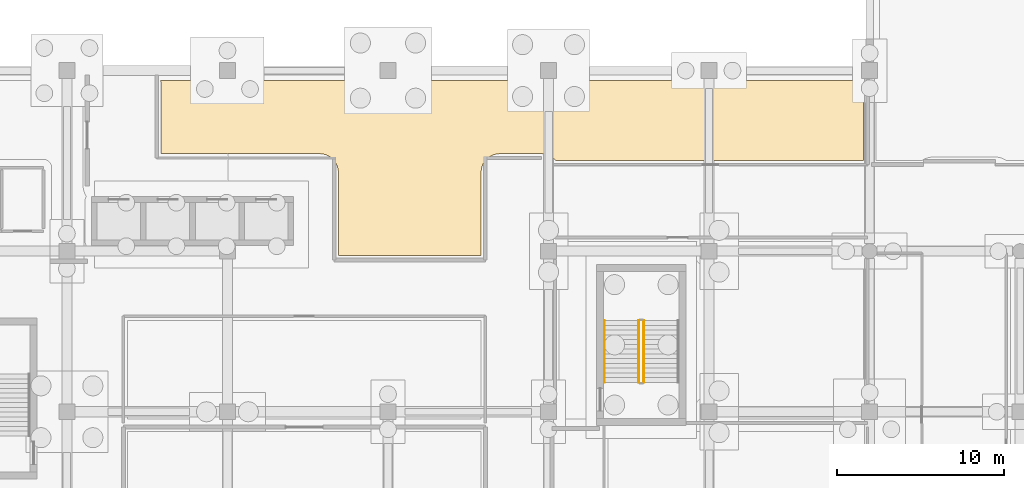
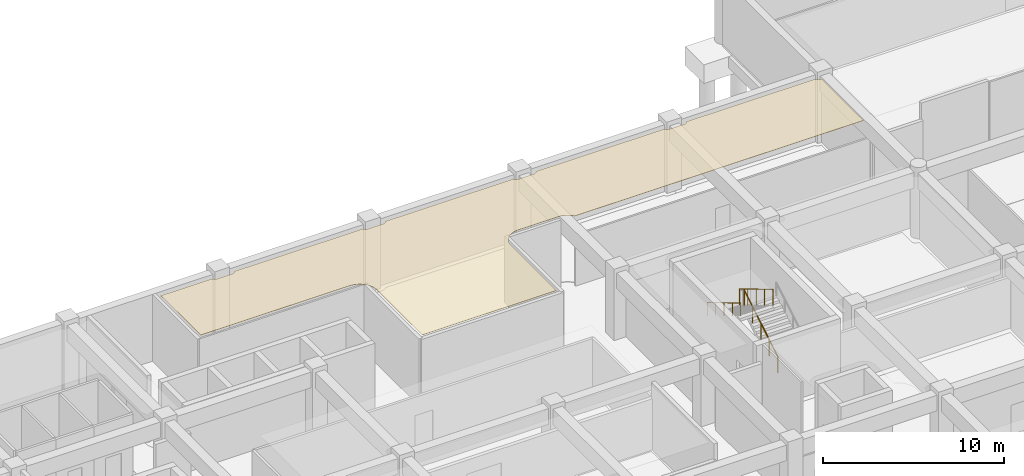
# One storey, part 29 of 47: 3 railings, 1 covering.
"""IFC4 building model written with IfcOpenShell, lengths in metres."""

from ifc_helpers import new_model, si_unit, direction, frame, origin, origin_2d, place, context, subcontext, project, spatial, polyline, circle, outline, extrude, material, layer, layer_set, type_object, element, save


model = new_model("IFC4")

# Units and contexts
model_context = context("Model", 3, precision=1e-05, world=origin(), true_north=direction((0.0, 1.0)))
body_context = subcontext(model_context, "Body", "Model", "MODEL_VIEW")
ifc_project = project(units=[si_unit("LENGTHUNIT", "METRE"), si_unit("AREAUNIT", "SQUARE_METRE"), si_unit("VOLUMEUNIT", "CUBIC_METRE"), si_unit("PLANEANGLEUNIT", "RADIAN"), si_unit("MASSUNIT", "GRAM", prefix="KILO")], contexts=[model_context])

# Site, building, storey
site_placement = place(None, origin())
site = spatial("IfcSite", under=ifc_project, at=site_placement, CompositionType="ELEMENT")
building_placement = place(site_placement, origin())
building = spatial("IfcBuilding", under=site, at=building_placement, Name="Cendralis Terraced Arcade", CompositionType="ELEMENT")
storey_placement = place(building_placement, frame((0.0, 0.0, -4.800048828125)))
storey = spatial("IfcBuildingStorey", under=building, at=storey_placement, Name="B1", CompositionType="ELEMENT", Elevation=-4.800048828125)

# Covering
ifc_material_1 = material(Name="Gypsum plasterboard acoustic partition")
ifc_layer = layer(ifc_material_1, 0.02490234375, Name="COV-CEIL-ACOU-25")
ifc_layer_set = layer_set([ifc_layer], Name="Gypsum plasterboard acoustic partition")
covering_type = type_object("IfcCoveringType", Name="COV-CEIL-ACOU-25", PredefinedType="CEILING", material=ifc_layer_set)
covering_placement = place(storey_placement, frame((0.0, 0.0, 4.47509765625)))
element("IfcCovering", 1, at=covering_placement, inside=storey, type_object=covering_type, Name="Acoustic Soffit Ceiling B1-004", PredefinedType="CEILING", context=body_context, shape_type="SweptSolid", body=[
    extrude(outline(polyline([(28.080810546875, 48.610107421875), (28.081298828125, 48.608642578125), (28.093017578125, 48.5869140625), (28.093994140625, 48.58544921875), (28.107666015625, 48.56494140625), (28.108642578125, 48.5634765625), (28.124267578125, 48.54443359375), (28.12548828125, 48.54296875), (28.14306640625, 48.525634765625), (28.144287109375, 48.5244140625), (28.163330078125, 48.5087890625), (28.1650390625, 48.507568359375), (28.185302734375, 48.493896484375), (28.18701171875, 48.492919921875), (28.208740234375, 48.4814453125), (28.21044921875, 48.48046875), (28.233154296875, 48.47119140625), (28.235107421875, 48.470458984375), (28.25830078125, 48.46337890625), (28.260498046875, 48.462890625), (28.284423828125, 48.4580078125), (28.286376953125, 48.457763671875), (28.310791015625, 48.455322265625), (28.312744140625, 48.455322265625), (28.324951171875, 48.455078125), (29.27490234375, 48.455078125), (29.287353515625, 48.455322265625), (29.289306640625, 48.455322265625), (29.313720703125, 48.457763671875), (29.315673828125, 48.4580078125), (29.339599609375, 48.462890625), (29.341552734375, 48.46337890625), (29.364990234375, 48.470458984375), (29.366943359375, 48.47119140625), (29.389404296875, 48.48046875), (29.391357421875, 48.4814453125), (29.4130859375, 48.492919921875), (29.41455078125, 48.493896484375), (29.43505859375, 48.507568359375), (29.4365234375, 48.5087890625), (29.45556640625, 48.5244140625), (29.45703125, 48.525634765625), (29.474365234375, 48.54296875), (29.4755859375, 48.54443359375), (29.4912109375, 48.5634765625), (29.492431640625, 48.56494140625), (29.506103515625, 48.58544921875), (29.507080078125, 48.5869140625), (29.5185546875, 48.608642578125), (29.519287109375, 48.610107421875), (37.6806640625, 48.610107421875), (37.681396484375, 48.608642578125), (37.69287109375, 48.5869140625), (37.69384765625, 48.58544921875), (37.70751953125, 48.56494140625), (37.708740234375, 48.5634765625), (37.724365234375, 48.54443359375), (37.7255859375, 48.54296875), (37.742919921875, 48.525634765625), (37.744384765625, 48.5244140625), (37.763427734375, 48.5087890625), (37.764892578125, 48.507568359375), (37.785400390625, 48.493896484375), (37.787109375, 48.492919921875), (37.80859375, 48.4814453125), (37.810546875, 48.48046875), (37.8330078125, 48.47119140625), (37.8349609375, 48.470458984375), (37.8583984375, 48.46337890625), (37.8603515625, 48.462890625), (37.884521484375, 48.4580078125), (37.886474609375, 48.457763671875), (37.910888671875, 48.455322265625), (37.91259765625, 48.455322265625), (37.925048828125, 48.455078125), (38.875, 48.455078125), (38.88720703125, 48.455322265625), (38.88916015625, 48.455322265625), (38.91357421875, 48.457763671875), (38.91552734375, 48.4580078125), (38.939697265625, 48.462890625), (38.941650390625, 48.46337890625), (38.965087890625, 48.470458984375), (38.966796875, 48.47119140625), (38.989501953125, 48.48046875), (38.9912109375, 48.4814453125), (39.012939453125, 48.492919921875), (39.0146484375, 48.493896484375), (39.034912109375, 48.507568359375), (39.03662109375, 48.5087890625), (39.0556640625, 48.5244140625), (39.056884765625, 48.525634765625), (39.074462890625, 48.54296875), (39.07568359375, 48.54443359375), (39.09130859375, 48.5634765625), (39.09228515625, 48.56494140625), (39.106201171875, 48.58544921875), (39.107177734375, 48.5869140625), (39.11865234375, 48.608642578125), (39.119384765625, 48.610107421875), (47.28076171875, 48.610107421875), (47.281494140625, 48.608642578125), (47.29296875, 48.5869140625), (47.2939453125, 48.58544921875), (47.3076171875, 48.56494140625), (47.30859375, 48.5634765625), (47.32421875, 48.54443359375), (47.32568359375, 48.54296875), (47.343017578125, 48.525634765625), (47.344482421875, 48.5244140625), (47.36328125, 48.5087890625), (47.364990234375, 48.507568359375), (47.385498046875, 48.493896484375), (47.386962890625, 48.492919921875), (47.40869140625, 48.4814453125), (47.410400390625, 48.48046875), (47.43310546875, 48.47119140625), (47.43505859375, 48.470458984375), (47.45849609375, 48.46337890625), (47.46044921875, 48.462890625), (47.484375, 48.4580078125), (47.486328125, 48.457763671875), (47.5107421875, 48.455322265625), (47.5126953125, 48.455322265625), (47.52490234375, 48.455078125), (48.47509765625, 48.455078125), (48.4873046875, 48.455322265625), (48.4892578125, 48.455322265625), (48.513671875, 48.457763671875), (48.515625, 48.4580078125), (48.53955078125, 48.462890625), (48.54150390625, 48.46337890625), (48.56494140625, 48.470458984375), (48.56689453125, 48.47119140625), (48.589599609375, 48.48046875), (48.59130859375, 48.4814453125), (48.613037109375, 48.492919921875), (48.614501953125, 48.493896484375), (48.635009765625, 48.507568359375), (48.63671875, 48.5087890625), (48.655517578125, 48.5244140625), (48.656982421875, 48.525634765625), (48.67431640625, 48.54296875), (48.67578125, 48.54443359375), (48.69140625, 48.5634765625), (48.6923828125, 48.56494140625), (48.7060546875, 48.58544921875), (48.70703125, 48.5869140625), (48.718505859375, 48.608642578125), (48.71923828125, 48.610107421875), (56.880615234375, 48.610107421875), (56.88134765625, 48.608642578125), (56.892822265625, 48.5869140625), (56.893798828125, 48.58544921875), (56.90771484375, 48.56494140625), (56.90869140625, 48.5634765625), (56.92431640625, 48.54443359375), (56.925537109375, 48.54296875), (56.943115234375, 48.525634765625), (56.9443359375, 48.5244140625), (56.96337890625, 48.5087890625), (56.965087890625, 48.507568359375), (56.9853515625, 48.493896484375), (56.987060546875, 48.492919921875), (57.0087890625, 48.4814453125), (57.010498046875, 48.48046875), (57.033203125, 48.47119140625), (57.034912109375, 48.470458984375), (57.058349609375, 48.46337890625), (57.060302734375, 48.462890625), (57.08447265625, 48.4580078125), (57.08642578125, 48.457763671875), (57.11083984375, 48.455322265625), (57.11279296875, 48.455322265625), (57.125, 48.455078125), (58.074951171875, 48.455078125), (58.08740234375, 48.455322265625), (58.089111328125, 48.455322265625), (58.113525390625, 48.457763671875), (58.115478515625, 48.4580078125), (58.1396484375, 48.462890625), (58.1416015625, 48.46337890625), (58.1650390625, 48.470458984375), (58.1669921875, 48.47119140625), (58.189453125, 48.48046875), (58.19140625, 48.4814453125), (58.212890625, 48.492919921875), (58.214599609375, 48.493896484375), (58.235107421875, 48.507568359375), (58.236572265625, 48.5087890625), (58.255615234375, 48.5244140625), (58.257080078125, 48.525634765625), (58.2744140625, 48.54296875), (58.275634765625, 48.54443359375), (58.291259765625, 48.5634765625), (58.29248046875, 48.56494140625), (58.30615234375, 48.58544921875), (58.30712890625, 48.5869140625), (58.318603515625, 48.608642578125), (58.3193359375, 48.610107421875), (66.480712890625, 48.610107421875), (66.4814453125, 48.608642578125), (66.492919921875, 48.5869140625), (66.493896484375, 48.58544921875), (66.507568359375, 48.56494140625), (66.5087890625, 48.5634765625), (66.5244140625, 48.54443359375), (66.525634765625, 48.54296875), (66.54296875, 48.525634765625), (66.54443359375, 48.5244140625), (66.5634765625, 48.5087890625), (66.56494140625, 48.507568359375), (66.58544921875, 48.493896484375), (66.5869140625, 48.492919921875), (66.608642578125, 48.4814453125), (66.610595703125, 48.48046875), (66.633056640625, 48.47119140625), (66.635009765625, 48.470458984375), (66.658447265625, 48.46337890625), (66.660400390625, 48.462890625), (66.684326171875, 48.4580078125), (66.686279296875, 48.457763671875), (66.710693359375, 48.455322265625), (66.712646484375, 48.455322265625), (66.72509765625, 48.455078125), (66.830078125, 48.455078125), (66.830078125, 43.830078125), (48.433837890625, 43.830078125), (48.430908203125, 43.833251953125), (48.42724609375, 43.837890625), (48.423095703125, 43.84228515625), (48.382080078125, 43.887451171875), (48.378173828125, 43.89208984375), (48.3740234375, 43.896240234375), (48.36962890625, 43.900634765625), (48.361328125, 43.908935546875), (48.35693359375, 43.9130859375), (48.352783203125, 43.917236328125), (48.34814453125, 43.92138671875), (48.302978515625, 43.96240234375), (48.298583984375, 43.96630859375), (48.294189453125, 43.97021484375), (48.289306640625, 43.97412109375), (48.2802734375, 43.981689453125), (48.275390625, 43.985595703125), (48.27099609375, 43.989013671875), (48.26611328125, 43.992919921875), (48.217041015625, 44.029052734375), (48.212158203125, 44.03271484375), (48.207275390625, 44.0361328125), (48.202392578125, 44.03955078125), (48.1923828125, 44.046142578125), (48.187255859375, 44.04931640625), (48.182373046875, 44.052490234375), (48.177001953125, 44.055908203125), (48.125, 44.087158203125), (48.11962890625, 44.090087890625), (48.114501953125, 44.093017578125), (48.109130859375, 44.095947265625), (48.098876953125, 44.1015625), (48.09326171875, 44.1044921875), (48.087890625, 44.107177734375), (48.08251953125, 44.109619140625), (48.027587890625, 44.1357421875), (48.02197265625, 44.13818359375), (48.0166015625, 44.140625), (48.010986328125, 44.14306640625), (48.0, 44.147705078125), (47.994384765625, 44.14990234375), (47.989013671875, 44.152099609375), (47.983154296875, 44.154296875), (47.92578125, 44.1748046875), (47.919921875, 44.1767578125), (47.914306640625, 44.178466796875), (47.90869140625, 44.180419921875), (47.897216796875, 44.183837890625), (47.891357421875, 44.185546875), (47.8857421875, 44.18701171875), (47.8798828125, 44.188720703125), (47.82080078125, 44.203369140625), (47.814697265625, 44.204833984375), (47.80908203125, 44.2060546875), (47.802978515625, 44.20751953125), (47.79150390625, 44.209716796875), (47.785400390625, 44.210693359375), (47.77978515625, 44.2119140625), (47.773681640625, 44.212890625), (47.71337890625, 44.2216796875), (47.70751953125, 44.222412109375), (47.701416015625, 44.223388671875), (47.6953125, 44.223876953125), (47.68359375, 44.22509765625), (47.677490234375, 44.2255859375), (47.671630859375, 44.22607421875), (47.66552734375, 44.226318359375), (47.604736328125, 44.2294921875), (47.601806640625, 44.2294921875), (47.598876953125, 44.2294921875), (47.595703125, 44.229736328125), (47.58984375, 44.22998046875), (47.5869140625, 44.22998046875), (47.583740234375, 44.22998046875), (47.580810546875, 44.22998046875), (45.080078125, 44.22998046875), (45.076904296875, 44.22998046875), (45.073974609375, 44.22998046875), (45.07080078125, 44.22998046875), (45.06494140625, 44.229736328125), (45.06201171875, 44.2294921875), (45.05908203125, 44.2294921875), (45.055908203125, 44.2294921875), (44.9951171875, 44.226318359375), (44.989013671875, 44.22607421875), (44.983154296875, 44.2255859375), (44.97705078125, 44.22509765625), (44.96533203125, 44.223876953125), (44.959228515625, 44.223388671875), (44.953369140625, 44.222412109375), (44.947265625, 44.2216796875), (44.88720703125, 44.212890625), (44.881103515625, 44.2119140625), (44.875244140625, 44.210693359375), (44.869384765625, 44.209716796875), (44.857666015625, 44.20751953125), (44.851806640625, 44.2060546875), (44.845947265625, 44.204833984375), (44.840087890625, 44.203369140625), (44.781005859375, 44.188720703125), (44.77490234375, 44.18701171875), (44.769287109375, 44.185546875), (44.763427734375, 44.183837890625), (44.752197265625, 44.180419921875), (44.746337890625, 44.178466796875), (44.74072265625, 44.1767578125), (44.73486328125, 44.1748046875), (44.677734375, 44.154296875), (44.671875, 44.152099609375), (44.66650390625, 44.14990234375), (44.66064453125, 44.147705078125), (44.64990234375, 44.14306640625), (44.644287109375, 44.140625), (44.638916015625, 44.13818359375), (44.63330078125, 44.1357421875), (44.578125, 44.109619140625), (44.57275390625, 44.107177734375), (44.5673828125, 44.1044921875), (44.56201171875, 44.1015625), (44.551513671875, 44.095947265625), (44.546142578125, 44.093017578125), (44.541015625, 44.090087890625), (44.535888671875, 44.087158203125), (44.483642578125, 44.055908203125), (44.478515625, 44.052490234375), (44.473388671875, 44.04931640625), (44.46826171875, 44.046142578125), (44.45849609375, 44.03955078125), (44.453369140625, 44.0361328125), (44.448486328125, 44.03271484375), (44.443603515625, 44.029052734375), (44.394775390625, 43.992919921875), (44.389892578125, 43.989013671875), (44.38525390625, 43.985595703125), (44.380615234375, 43.981689453125), (44.371337890625, 43.97412109375), (44.36669921875, 43.97021484375), (44.3623046875, 43.96630859375), (44.357666015625, 43.96240234375), (44.3125, 43.92138671875), (44.30810546875, 43.917236328125), (44.3037109375, 43.9130859375), (44.29931640625, 43.908935546875), (44.291015625, 43.900634765625), (44.286865234375, 43.896240234375), (44.28271484375, 43.89208984375), (44.278564453125, 43.887451171875), (44.23779296875, 43.84228515625), (44.233642578125, 43.837890625), (44.229736328125, 43.833251953125), (44.225830078125, 43.82861328125), (44.21826171875, 43.819580078125), (44.214599609375, 43.814697265625), (44.2109375, 43.81005859375), (44.207275390625, 43.80517578125), (44.1708984375, 43.75634765625), (44.167236328125, 43.75146484375), (44.163818359375, 43.74658203125), (44.160400390625, 43.741455078125), (44.15380859375, 43.731689453125), (44.150634765625, 43.7265625), (44.1474609375, 43.7216796875), (44.144287109375, 43.71630859375), (44.11279296875, 43.664306640625), (44.10986328125, 43.658935546875), (44.10693359375, 43.65380859375), (44.10400390625, 43.6484375), (44.098388671875, 43.637939453125), (44.095703125, 43.632568359375), (44.093017578125, 43.627197265625), (44.09033203125, 43.621826171875), (44.064208984375, 43.56689453125), (44.061767578125, 43.561279296875), (44.059326171875, 43.555908203125), (44.056884765625, 43.55029296875), (44.052490234375, 43.539306640625), (44.050048828125, 43.53369140625), (44.048095703125, 43.528076171875), (44.0458984375, 43.522216796875), (44.025390625, 43.465087890625), (44.023193359375, 43.459228515625), (44.021484375, 43.45361328125), (44.01953125, 43.44775390625), (44.01611328125, 43.4365234375), (44.014404296875, 43.4306640625), (44.012939453125, 43.425048828125), (44.011474609375, 43.4189453125), (43.99658203125, 43.360107421875), (43.9951171875, 43.35400390625), (43.993896484375, 43.348388671875), (43.99267578125, 43.34228515625), (43.990234375, 43.330810546875), (43.9892578125, 43.32470703125), (43.98828125, 43.31884765625), (43.9873046875, 43.31298828125), (43.978271484375, 43.252685546875), (43.9775390625, 43.24658203125), (43.976806640625, 43.24072265625), (43.97607421875, 43.234619140625), (43.974853515625, 43.222900390625), (43.974365234375, 43.216796875), (43.97412109375, 43.2109375), (43.9736328125, 43.204833984375), (43.970703125, 43.14404296875), (43.970458984375, 43.14111328125), (43.970458984375, 43.137939453125), (43.97021484375, 43.135009765625), (43.97021484375, 43.129150390625), (43.97021484375, 43.1259765625), (43.969970703125, 43.123046875), (43.969970703125, 43.1201171875), (43.969970703125, 38.1298828125), (35.429931640625, 38.1298828125), (35.429931640625, 43.1201171875), (35.429931640625, 43.123046875), (35.429931640625, 43.1259765625), (35.429931640625, 43.129150390625), (35.4296875, 43.135009765625), (35.4296875, 43.137939453125), (35.429443359375, 43.14111328125), (35.429443359375, 43.14404296875), (35.426513671875, 43.204833984375), (35.426025390625, 43.2109375), (35.425537109375, 43.216796875), (35.425048828125, 43.222900390625), (35.423828125, 43.234619140625), (35.42333984375, 43.24072265625), (35.422607421875, 43.24658203125), (35.421630859375, 43.252685546875), (35.412841796875, 43.31298828125), (35.411865234375, 43.31884765625), (35.410888671875, 43.32470703125), (35.40966796875, 43.330810546875), (35.407470703125, 43.34228515625), (35.406005859375, 43.348388671875), (35.40478515625, 43.35400390625), (35.4033203125, 43.360107421875), (35.388671875, 43.4189453125), (35.38720703125, 43.425048828125), (35.385498046875, 43.4306640625), (35.3837890625, 43.4365234375), (35.38037109375, 43.44775390625), (35.37841796875, 43.45361328125), (35.376708984375, 43.459228515625), (35.374755859375, 43.465087890625), (35.354248046875, 43.522216796875), (35.35205078125, 43.528076171875), (35.349853515625, 43.53369140625), (35.34765625, 43.539306640625), (35.343017578125, 43.55029296875), (35.3408203125, 43.555908203125), (35.33837890625, 43.561279296875), (35.335693359375, 43.56689453125), (35.309814453125, 43.621826171875), (35.30712890625, 43.627197265625), (35.304443359375, 43.632568359375), (35.301513671875, 43.637939453125), (35.2958984375, 43.6484375), (35.293212890625, 43.65380859375), (35.290283203125, 43.658935546875), (35.287109375, 43.664306640625), (35.255859375, 43.71630859375), (35.252685546875, 43.7216796875), (35.24951171875, 43.7265625), (35.24609375, 43.731689453125), (35.239501953125, 43.741455078125), (35.236083984375, 43.74658203125), (35.232666015625, 43.75146484375), (35.22900390625, 43.75634765625), (35.19287109375, 43.80517578125), (35.189208984375, 43.81005859375), (35.185546875, 43.814697265625), (35.181640625, 43.819580078125), (35.17431640625, 43.82861328125), (35.170166015625, 43.833251953125), (35.16650390625, 43.837890625), (35.162353515625, 43.84228515625), (35.12158203125, 43.887451171875), (35.1171875, 43.89208984375), (35.11328125, 43.896240234375), (35.10888671875, 43.900634765625), (35.1005859375, 43.908935546875), (35.09619140625, 43.9130859375), (35.092041015625, 43.917236328125), (35.08740234375, 43.92138671875), (35.04248046875, 43.96240234375), (35.037841796875, 43.96630859375), (35.033203125, 43.97021484375), (35.028564453125, 43.97412109375), (35.01953125, 43.981689453125), (35.0146484375, 43.985595703125), (35.010009765625, 43.989013671875), (35.005126953125, 43.992919921875), (34.956298828125, 44.029052734375), (34.951416015625, 44.03271484375), (34.946533203125, 44.0361328125), (34.94140625, 44.03955078125), (34.931640625, 44.046142578125), (34.926513671875, 44.04931640625), (34.921630859375, 44.052490234375), (34.91650390625, 44.055908203125), (34.8642578125, 44.087158203125), (34.85888671875, 44.090087890625), (34.853759765625, 44.093017578125), (34.848388671875, 44.095947265625), (34.837890625, 44.1015625), (34.83251953125, 44.1044921875), (34.827392578125, 44.107177734375), (34.82177734375, 44.109619140625), (34.766845703125, 44.1357421875), (34.76123046875, 44.13818359375), (34.755859375, 44.140625), (34.750244140625, 44.14306640625), (34.7392578125, 44.147705078125), (34.733642578125, 44.14990234375), (34.72802734375, 44.152099609375), (34.722412109375, 44.154296875), (34.6650390625, 44.1748046875), (34.6591796875, 44.1767578125), (34.65380859375, 44.178466796875), (34.647705078125, 44.180419921875), (34.636474609375, 44.183837890625), (34.630615234375, 44.185546875), (34.625, 44.18701171875), (34.618896484375, 44.188720703125), (34.56005859375, 44.203369140625), (34.553955078125, 44.204833984375), (34.54833984375, 44.2060546875), (34.542236328125, 44.20751953125), (34.53076171875, 44.209716796875), (34.524658203125, 44.210693359375), (34.518798828125, 44.2119140625), (34.512939453125, 44.212890625), (34.45263671875, 44.2216796875), (34.446533203125, 44.222412109375), (34.440673828125, 44.223388671875), (34.4345703125, 44.223876953125), (34.4228515625, 44.22509765625), (34.416748046875, 44.2255859375), (34.410888671875, 44.22607421875), (34.40478515625, 44.226318359375), (34.343994140625, 44.2294921875), (34.341064453125, 44.2294921875), (34.337890625, 44.2294921875), (34.3349609375, 44.229736328125), (34.3291015625, 44.22998046875), (34.325927734375, 44.22998046875), (34.322998046875, 44.22998046875), (34.320068359375, 44.22998046875), (24.830078125, 44.22998046875), (24.830078125, 48.360107421875), (24.830078125, 48.363037109375), (24.829833984375, 48.365966796875), (24.829833984375, 48.369140625), (24.82958984375, 48.375), (24.82958984375, 48.3779296875), (24.82958984375, 48.381103515625), (24.829345703125, 48.384033203125), (24.826416015625, 48.44482421875), (24.825927734375, 48.450927734375), (24.82568359375, 48.456787109375), (24.8251953125, 48.462890625), (24.823974609375, 48.474609375), (24.8232421875, 48.480712890625), (24.822509765625, 48.486572265625), (24.82177734375, 48.49267578125), (24.812744140625, 48.552978515625), (24.811767578125, 48.558837890625), (24.810791015625, 48.564697265625), (24.809814453125, 48.57080078125), (24.807373046875, 48.582275390625), (24.80615234375, 48.58837890625), (24.8046875, 48.593994140625), (24.803466796875, 48.60009765625), (24.80078125, 48.610107421875), (28.080810546875, 48.610107421875)])), origin(), (0.0, 0.0, 1.0), 0.02490234375),
])

# Railings
ifc_material_2 = material(Name="Brushed stainless steel AISI 316", Category="steel")
railing_type_1 = type_object("IfcRailingType", Name="RL-STAIR-GUARD-1100", PredefinedType="GUARDRAIL", material=ifc_material_2)
railing_1_placement = place(storey_placement, frame((53.699951171875, 30.550048828125, 0.17138671875)))
element("IfcRailing", 2, at=railing_1_placement, inside=storey, type_object=railing_type_1, Name="B1 ST-04 stair guard 1", PredefinedType="GUARDRAIL", context=body_context, shape_type="SweptSolid", body=[
    extrude(circle(Radius=0.02392578125, at=origin_2d()), frame((0.0, 0.0, 1.076171875), z_axis=(0.0, 0.856894455432, 0.515491893485), x_axis=(-1.0, 0.0, 0.0)), (0.0, 0.0, 1.0), 4.323486328125),
    extrude(circle(Radius=0.02099609375, at=origin_2d()), origin(), (0.0, 0.0, 1.0), 1.052001953125),
    extrude(circle(Radius=0.02099609375, at=origin_2d()), frame((0.0, 0.92626953125, 0.55712890625)), (0.0, 0.0, 1.0), 1.052001953125),
    extrude(circle(Radius=0.02099609375, at=origin_2d()), frame((0.0, 1.8525390625, 1.1142578125)), (0.0, 0.0, 1.0), 1.052001953125),
    extrude(circle(Radius=0.02099609375, at=origin_2d()), frame((0.0, 2.778564453125, 1.671630859375)), (0.0, 0.0, 1.0), 1.052001953125),
    extrude(circle(Radius=0.02099609375, at=origin_2d()), frame((0.0, 3.704833984375, 2.228759765625)), (0.0, 0.0, 1.0), 1.052001953125),
])
railing_2_placement = place(storey_placement, frame((53.39990234375, 34.2548828125, 2.571533203125)))
element("IfcRailing", 3, at=railing_2_placement, inside=storey, type_object=railing_type_1, Name="B1 ST-04 stair guard 3", PredefinedType="GUARDRAIL", context=body_context, shape_type="SweptSolid", body=[
    extrude(circle(Radius=0.02392578125, at=origin_2d()), frame((0.0, 0.0, 1.076171875), z_axis=(0.0, -0.856919398105, 0.515450429384), x_axis=(1.0, 0.0, 0.0)), (0.0, 0.0, 1.0), 4.323486328125),
    extrude(circle(Radius=0.02099609375, at=origin_2d()), origin(), (0.0, 0.0, 1.0), 1.052001953125),
    extrude(circle(Radius=0.02099609375, at=origin_2d()), frame((0.0, -0.92626953125, 0.55712890625)), (0.0, 0.0, 1.0), 1.052001953125),
    extrude(circle(Radius=0.02099609375, at=origin_2d()), frame((0.0, -1.8525390625, 1.1142578125)), (0.0, 0.0, 1.0), 1.052001953125),
    extrude(circle(Radius=0.02099609375, at=origin_2d()), frame((0.0, -2.778564453125, 1.67138671875)), (0.0, 0.0, 1.0), 1.052001953125),
    extrude(circle(Radius=0.02099609375, at=origin_2d()), frame((0.0, -3.704833984375, 2.228515625)), (0.0, 0.0, 1.0), 1.052001953125),
])
railing_type_2 = type_object("IfcRailingType", Name="RL-STAIR-HAND-900", PredefinedType="HANDRAIL", material=ifc_material_2)
railing_3_placement = place(storey_placement, frame((51.35009765625, 34.2548828125, 2.571533203125)))
element("IfcRailing", 4, at=railing_3_placement, inside=storey, type_object=railing_type_2, Name="B1 ST-04 stair handrail 2", PredefinedType="HANDRAIL", context=body_context, shape_type="SweptSolid", body=[
    extrude(circle(Radius=0.02392578125, at=origin_2d()), frame((0.0, 0.0, 0.8759765625), z_axis=(0.0, -0.856919398105, 0.515450429384), x_axis=(1.0, 0.0, 0.0)), (0.0, 0.0, 1.0), 4.323486328125),
    extrude(circle(Radius=0.02099609375, at=origin_2d()), origin(), (0.0, 0.0, 1.0), 0.851806640625),
    extrude(circle(Radius=0.02099609375, at=origin_2d()), frame((0.0, -0.92626953125, 0.55712890625)), (0.0, 0.0, 1.0), 0.851806640625),
    extrude(circle(Radius=0.02099609375, at=origin_2d()), frame((0.0, -1.8525390625, 1.1142578125)), (0.0, 0.0, 1.0), 0.851806640625),
    extrude(circle(Radius=0.02099609375, at=origin_2d()), frame((0.0, -2.778564453125, 1.67138671875)), (0.0, 0.0, 1.0), 0.851806640625),
    extrude(circle(Radius=0.02099609375, at=origin_2d()), frame((0.0, -3.704833984375, 2.228515625)), (0.0, 0.0, 1.0), 0.851806640625),
])

save(model, "model.ifc")
